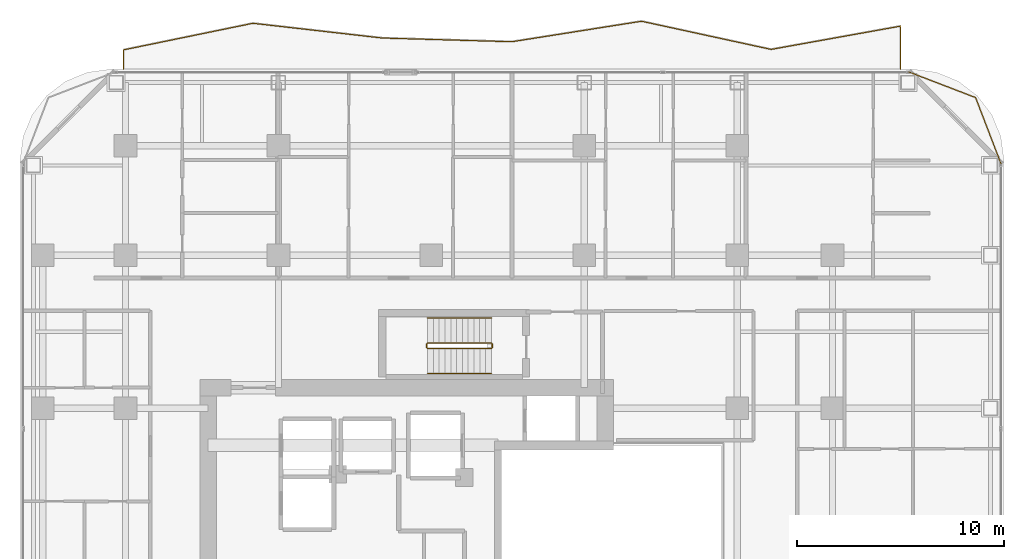
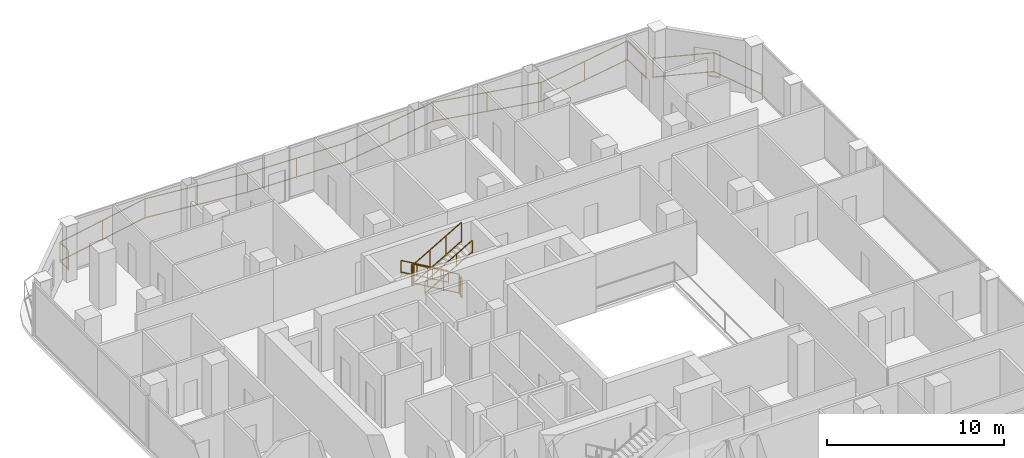
# One storey, part 27 of 27: 8 railings.
"""IFC4 building model written with IfcOpenShell, lengths in metres."""

from ifc_helpers import new_model, si_unit, direction, frame, origin, origin_2d, place, context, subcontext, project, spatial, rectangle, extrude, material, type_object, element, save


model = new_model("IFC4")

# Units and contexts
model_context = context("Model", 3, precision=1e-05, world=origin(), true_north=direction((0.0, 1.0)))
body_context = subcontext(model_context, "Body", "Model", "MODEL_VIEW")
ifc_project = project(units=[si_unit("LENGTHUNIT", "METRE"), si_unit("AREAUNIT", "SQUARE_METRE"), si_unit("VOLUMEUNIT", "CUBIC_METRE"), si_unit("PLANEANGLEUNIT", "RADIAN"), si_unit("MASSUNIT", "GRAM", prefix="KILO")], contexts=[model_context])

# Site, building, storey
site_placement = place(None, origin())
site = spatial("IfcSite", under=ifc_project, at=site_placement, CompositionType="ELEMENT")
building_placement = place(site_placement, origin())
building = spatial("IfcBuilding", under=site, at=building_placement, Name="Khorvyn Point Tower", CompositionType="ELEMENT")
storey_placement = place(building_placement, frame((0.0, 0.0, 164.10009765625)))
storey = spatial("IfcBuildingStorey", under=building, at=storey_placement, Name="L40", CompositionType="ELEMENT", Elevation=164.10009765625)

# Railings
ifc_material_1 = material(Name="Anodised aluminium 6063-T6 and laminated safety glass", Category="aluminium")
railing_type_1 = type_object("IfcRailingType", Name="Laminated Glass and Aluminium Balcony Guardrail 1400", PredefinedType="BALUSTRADE", material=ifc_material_1)
railing_1_placement = place(storey_placement, frame((27.57421875, 19.176025390625, 0.0)))
element("IfcRailing", 1, at=railing_1_placement, inside=storey, type_object=railing_type_1, Name="L40 Rounded Corner Edge Guardrail NE", PredefinedType="BALUSTRADE", context=body_context, shape_type="SweptSolid", body=[
    extrude(rectangle(XDim=0.048095703125, YDim=0.048095703125, at=origin_2d()), frame((0.0, 0.0, 1.3759765625), z_axis=(-0.358382264808, 0.933574931257, 0.0), x_axis=(-0.933574931257, -0.358382264808, 0.0)), (0.0, 0.0, 1.0), 3.481689453125),
    extrude(rectangle(XDim=0.048095703125, YDim=0.048095703125, at=origin_2d()), frame((0.0, 0.0, 0.080078125), z_axis=(-0.358382264808, 0.933574931257, 0.0), x_axis=(-0.933574931257, -0.358382264808, 0.0)), (0.0, 0.0, 1.0), 3.481689453125),
    extrude(rectangle(XDim=0.048095703125, YDim=0.048095703125, at=origin_2d()), frame((-1.247802734375, 3.25048828125, 1.3759765625), z_axis=(-0.933598390295, 0.358321148746, 0.0), x_axis=(-0.358321148746, -0.933598390295, 0.0)), (0.0, 0.0, 1.0), 3.481689453125),
    extrude(rectangle(XDim=0.048095703125, YDim=0.048095703125, at=origin_2d()), frame((-1.247802734375, 3.25048828125, 0.080078125), z_axis=(-0.933598390295, 0.358321148746, 0.0), x_axis=(-0.358321148746, -0.933598390295, 0.0)), (0.0, 0.0, 1.0), 3.481689453125),
    extrude(rectangle(XDim=0.0419921875, YDim=0.0419921875, at=origin_2d()), origin(), (0.0, 0.0, 1.0), 1.351806640625),
    extrude(rectangle(XDim=0.0419921875, YDim=0.0419921875, at=origin_2d()), frame((-1.247802734375, 3.25048828125, 0.0)), (0.0, 0.0, 1.0), 1.351806640625),
    extrude(rectangle(XDim=0.0419921875, YDim=0.0419921875, at=origin_2d()), frame((-4.498291015625, 4.498046875, 0.0)), (0.0, 0.0, 1.0), 1.351806640625),
])
railing_2_placement = place(storey_placement, frame((22.699951171875, 23.800048828125, 0.0)))
element("IfcRailing", 2, at=railing_2_placement, inside=storey, type_object=railing_type_1, Name="L40 North Balcony Guardrail", PredefinedType="BALUSTRADE", context=body_context, shape_type="SweptSolid", body=[
    extrude(rectangle(XDim=0.048095703125, YDim=0.048095703125, at=origin_2d()), frame((0.0, 0.0, 1.3759765625), z_axis=(0.0, 1.0, 0.0), x_axis=(-1.0, 0.0, 0.0)), (0.0, 0.0, 1.0), 2.08349609375),
    extrude(rectangle(XDim=0.048095703125, YDim=0.048095703125, at=origin_2d()), frame((0.0, 0.0, 0.080078125), z_axis=(0.0, 1.0, 0.0), x_axis=(-1.0, 0.0, 0.0)), (0.0, 0.0, 1.0), 2.08349609375),
    extrude(rectangle(XDim=0.048095703125, YDim=0.048095703125, at=origin_2d()), frame((0.0, 2.08349609375, 1.3759765625), z_axis=(-0.984225013532, -0.176921233148, 0.0), x_axis=(0.176921233148, -0.984225013532, 0.0)), (0.0, 0.0, 1.0), 6.366943359375),
    extrude(rectangle(XDim=0.048095703125, YDim=0.048095703125, at=origin_2d()), frame((0.0, 2.08349609375, 0.080078125), z_axis=(-0.984225013532, -0.176921233148, 0.0), x_axis=(0.176921233148, -0.984225013532, 0.0)), (0.0, 0.0, 1.0), 6.366943359375),
    extrude(rectangle(XDim=0.048095703125, YDim=0.048095703125, at=origin_2d()), frame((-6.2666015625, 0.95703125, 1.3759765625), z_axis=(-0.97716055631, 0.212502346319, 0.0), x_axis=(-0.212502346319, -0.97716055631, 0.0)), (0.0, 0.0, 1.0), 6.4130859375),
    extrude(rectangle(XDim=0.048095703125, YDim=0.048095703125, at=origin_2d()), frame((-6.2666015625, 0.95703125, 0.080078125), z_axis=(-0.97716055631, 0.212502346319, 0.0), x_axis=(-0.212502346319, -0.97716055631, 0.0)), (0.0, 0.0, 1.0), 6.4130859375),
    extrude(rectangle(XDim=0.048095703125, YDim=0.048095703125, at=origin_2d()), frame((-12.533203125, 2.31982421875, 1.3759765625), z_axis=(-0.987715496993, -0.156262909864, 0.0), x_axis=(0.156262909864, -0.987715496993, 0.0)), (0.0, 0.0, 1.0), 6.3447265625),
    extrude(rectangle(XDim=0.048095703125, YDim=0.048095703125, at=origin_2d()), frame((-12.533203125, 2.31982421875, 0.080078125), z_axis=(-0.987715496993, -0.156262909864, 0.0), x_axis=(0.156262909864, -0.987715496993, 0.0)), (0.0, 0.0, 1.0), 6.3447265625),
    extrude(rectangle(XDim=0.048095703125, YDim=0.048095703125, at=origin_2d()), frame((-18.800048828125, 1.328369140625, 1.3759765625), z_axis=(-0.999594718652, 0.028467498026, 0.0), x_axis=(-0.028467498026, -0.999594718652, 0.0)), (0.0, 0.0, 1.0), 6.26904296875),
    extrude(rectangle(XDim=0.048095703125, YDim=0.048095703125, at=origin_2d()), frame((-18.800048828125, 1.328369140625, 0.080078125), z_axis=(-0.999594718652, 0.028467498026, 0.0), x_axis=(-0.028467498026, -0.999594718652, 0.0)), (0.0, 0.0, 1.0), 6.26904296875),
    extrude(rectangle(XDim=0.048095703125, YDim=0.048095703125, at=origin_2d()), frame((-25.066650390625, 1.5068359375, 1.3759765625), z_axis=(-0.993569675103, 0.113222350774, 0.0), x_axis=(-0.113222350774, -0.993569675103, 0.0)), (0.0, 0.0, 1.0), 6.30712890625),
    extrude(rectangle(XDim=0.048095703125, YDim=0.048095703125, at=origin_2d()), frame((-25.066650390625, 1.5068359375, 0.080078125), z_axis=(-0.993569675103, 0.113222350774, 0.0), x_axis=(-0.113222350774, -0.993569675103, 0.0)), (0.0, 0.0, 1.0), 6.30712890625),
    extrude(rectangle(XDim=0.048095703125, YDim=0.048095703125, at=origin_2d()), frame((-31.333251953125, 2.220947265625, 1.3759765625), z_axis=(-0.979506669863, -0.201411726801, 0.0), x_axis=(0.201411726801, -0.979506669863, 0.0)), (0.0, 0.0, 1.0), 6.397705078125),
    extrude(rectangle(XDim=0.048095703125, YDim=0.048095703125, at=origin_2d()), frame((-31.333251953125, 2.220947265625, 0.080078125), z_axis=(-0.979506669863, -0.201411726801, 0.0), x_axis=(0.201411726801, -0.979506669863, 0.0)), (0.0, 0.0, 1.0), 6.397705078125),
    extrude(rectangle(XDim=0.048095703125, YDim=0.048095703125, at=origin_2d()), frame((-37.599853515625, 0.932373046875, 1.3759765625), z_axis=(0.0, -1.0, 0.0), x_axis=(1.0, 0.0, 0.0)), (0.0, 0.0, 1.0), 0.932373046875),
    extrude(rectangle(XDim=0.048095703125, YDim=0.048095703125, at=origin_2d()), frame((-37.599853515625, 0.932373046875, 0.080078125), z_axis=(0.0, -1.0, 0.0), x_axis=(1.0, 0.0, 0.0)), (0.0, 0.0, 1.0), 0.932373046875),
    extrude(rectangle(XDim=0.0419921875, YDim=0.0419921875, at=origin_2d()), origin(), (0.0, 0.0, 1.0), 1.351806640625),
    extrude(rectangle(XDim=0.0419921875, YDim=0.0419921875, at=origin_2d()), frame((0.0, 2.08349609375, 0.0)), (0.0, 0.0, 1.0), 1.351806640625),
    extrude(rectangle(XDim=0.0419921875, YDim=0.0419921875, at=origin_2d()), frame((-3.13330078125, 1.520263671875, 0.0)), (0.0, 0.0, 1.0), 1.351806640625),
    extrude(rectangle(XDim=0.0419921875, YDim=0.0419921875, at=origin_2d()), frame((-6.2666015625, 0.95703125, 0.0)), (0.0, 0.0, 1.0), 1.351806640625),
    extrude(rectangle(XDim=0.0419921875, YDim=0.0419921875, at=origin_2d()), frame((-9.39990234375, 1.638427734375, 0.0)), (0.0, 0.0, 1.0), 1.351806640625),
    extrude(rectangle(XDim=0.0419921875, YDim=0.0419921875, at=origin_2d()), frame((-12.533203125, 2.31982421875, 0.0)), (0.0, 0.0, 1.0), 1.351806640625),
    extrude(rectangle(XDim=0.0419921875, YDim=0.0419921875, at=origin_2d()), frame((-15.66650390625, 1.82421875, 0.0)), (0.0, 0.0, 1.0), 1.351806640625),
    extrude(rectangle(XDim=0.0419921875, YDim=0.0419921875, at=origin_2d()), frame((-18.800048828125, 1.328369140625, 0.0)), (0.0, 0.0, 1.0), 1.351806640625),
    extrude(rectangle(XDim=0.0419921875, YDim=0.0419921875, at=origin_2d()), frame((-21.933349609375, 1.41748046875, 0.0)), (0.0, 0.0, 1.0), 1.351806640625),
    extrude(rectangle(XDim=0.0419921875, YDim=0.0419921875, at=origin_2d()), frame((-25.066650390625, 1.5068359375, 0.0)), (0.0, 0.0, 1.0), 1.351806640625),
    extrude(rectangle(XDim=0.0419921875, YDim=0.0419921875, at=origin_2d()), frame((-28.199951171875, 1.86376953125, 0.0)), (0.0, 0.0, 1.0), 1.351806640625),
    extrude(rectangle(XDim=0.0419921875, YDim=0.0419921875, at=origin_2d()), frame((-31.333251953125, 2.220947265625, 0.0)), (0.0, 0.0, 1.0), 1.351806640625),
    extrude(rectangle(XDim=0.0419921875, YDim=0.0419921875, at=origin_2d()), frame((-34.466552734375, 1.57666015625, 0.0)), (0.0, 0.0, 1.0), 1.351806640625),
    extrude(rectangle(XDim=0.0419921875, YDim=0.0419921875, at=origin_2d()), frame((-37.599853515625, 0.932373046875, 0.0)), (0.0, 0.0, 1.0), 1.351806640625),
    extrude(rectangle(XDim=0.0419921875, YDim=0.0419921875, at=origin_2d()), frame((-37.599853515625, 0.0, 0.0)), (0.0, 0.0, 1.0), 1.351806640625),
])
ifc_material_2 = material(Name="Stainless steel 1.4301", Category="steel")
railing_type_2 = type_object("IfcRailingType", Name="Stainless Steel 304 Stair Pitch Handrail 900", PredefinedType="HANDRAIL", material=ifc_material_2)
railing_3_placement = place(storey_placement, frame((2.89990234375, 11.77001953125, 0.162353515625)))
element("IfcRailing", 3, at=railing_3_placement, inside=storey, type_object=railing_type_2, Name="L40 ST-02 stair handrail 1", PredefinedType="HANDRAIL", context=body_context, shape_type="SweptSolid", body=[
    extrude(rectangle(XDim=0.048095703125, YDim=0.048095703125, at=origin_2d()), frame((0.0, 0.0, 0.8759765625), z_axis=(-0.864873446163, 0.0, 0.501989962173), x_axis=(0.0, -1.0, 0.0)), (0.0, 0.0, 1.0), 3.56103515625),
    extrude(rectangle(XDim=0.048095703125, YDim=0.048095703125, at=origin_2d()), frame((0.0, 0.0, 0.080078125), z_axis=(-0.864873446163, 0.0, 0.501989962173), x_axis=(0.0, -1.0, 0.0)), (0.0, 0.0, 1.0), 3.56103515625),
    extrude(rectangle(XDim=0.0419921875, YDim=0.0419921875, at=origin_2d()), origin(), (0.0, 0.0, 1.0), 0.851806640625),
    extrude(rectangle(XDim=0.0419921875, YDim=0.0419921875, at=origin_2d()), frame((-1.026611328125, 0.0, 0.595947265625)), (0.0, 0.0, 1.0), 0.851806640625),
    extrude(rectangle(XDim=0.0419921875, YDim=0.0419921875, at=origin_2d()), frame((-2.05322265625, 0.0, 1.191650390625)), (0.0, 0.0, 1.0), 0.851806640625),
    extrude(rectangle(XDim=0.0419921875, YDim=0.0419921875, at=origin_2d()), frame((-3.079833984375, 0.0, 1.78759765625)), (0.0, 0.0, 1.0), 0.851806640625),
])
railing_4_placement = place(storey_placement, frame((-0.179931640625, 9.070068359375, 2.1123046875)))
element("IfcRailing", 4, at=railing_4_placement, inside=storey, type_object=railing_type_2, Name="L40 ST-02 stair handrail 2", PredefinedType="HANDRAIL", context=body_context, shape_type="SweptSolid", body=[
    extrude(rectangle(XDim=0.048095703125, YDim=0.048095703125, at=origin_2d()), frame((0.0, 0.0, 0.8759765625), z_axis=(0.864873446163, 0.0, 0.501989962173), x_axis=(0.0, 1.0, 0.0)), (0.0, 0.0, 1.0), 3.56103515625),
    extrude(rectangle(XDim=0.048095703125, YDim=0.048095703125, at=origin_2d()), frame((0.0, 0.0, 0.080078125), z_axis=(0.864873446163, 0.0, 0.501989962173), x_axis=(0.0, 1.0, 0.0)), (0.0, 0.0, 1.0), 3.56103515625),
    extrude(rectangle(XDim=0.0419921875, YDim=0.0419921875, at=origin_2d()), origin(), (0.0, 0.0, 1.0), 0.851806640625),
    extrude(rectangle(XDim=0.0419921875, YDim=0.0419921875, at=origin_2d()), frame((1.026611328125, 0.0, 0.595947265625)), (0.0, 0.0, 1.0), 0.851806640625),
    extrude(rectangle(XDim=0.0419921875, YDim=0.0419921875, at=origin_2d()), frame((2.05322265625, 0.0, 1.191650390625)), (0.0, 0.0, 1.0), 0.851806640625),
    extrude(rectangle(XDim=0.0419921875, YDim=0.0419921875, at=origin_2d()), frame((3.079833984375, 0.0, 1.78759765625)), (0.0, 0.0, 1.0), 0.851806640625),
])
railing_type_3 = type_object("IfcRailingType", Name="Stainless Steel 304 Stair Well Guardrail 1400", PredefinedType="GUARDRAIL", material=ifc_material_2)
railing_5_placement = place(storey_placement, frame((2.89990234375, 10.550048828125, 0.162353515625)))
element("IfcRailing", 5, at=railing_5_placement, inside=storey, type_object=railing_type_3, Name="L40 ST-02 stair guard 1", PredefinedType="GUARDRAIL", context=body_context, shape_type="SweptSolid", body=[
    extrude(rectangle(XDim=0.048095703125, YDim=0.048095703125, at=origin_2d()), frame((0.0, 0.0, 1.3759765625), z_axis=(-0.864873446163, 0.0, 0.501989962173), x_axis=(0.0, -1.0, 0.0)), (0.0, 0.0, 1.0), 3.56103515625),
    extrude(rectangle(XDim=0.048095703125, YDim=0.048095703125, at=origin_2d()), frame((0.0, 0.0, 0.080078125), z_axis=(-0.864873446163, 0.0, 0.501989962173), x_axis=(0.0, -1.0, 0.0)), (0.0, 0.0, 1.0), 3.56103515625),
    extrude(rectangle(XDim=0.0419921875, YDim=0.0419921875, at=origin_2d()), origin(), (0.0, 0.0, 1.0), 1.351806640625),
    extrude(rectangle(XDim=0.0419921875, YDim=0.0419921875, at=origin_2d()), frame((-1.026611328125, 0.0, 0.595947265625)), (0.0, 0.0, 1.0), 1.351806640625),
    extrude(rectangle(XDim=0.0419921875, YDim=0.0419921875, at=origin_2d()), frame((-2.05322265625, 0.0, 1.191650390625)), (0.0, 0.0, 1.0), 1.351806640625),
    extrude(rectangle(XDim=0.0419921875, YDim=0.0419921875, at=origin_2d()), frame((-3.079833984375, 0.0, 1.78759765625)), (0.0, 0.0, 1.0), 1.351806640625),
])
railing_6_placement = place(storey_placement, frame((-0.22998046875, 10.5, 1.949951171875)))
element("IfcRailing", 6, at=railing_6_placement, inside=storey, type_object=railing_type_3, Name="L40 ST-02 stair guard 2", PredefinedType="GUARDRAIL", context=body_context, shape_type="SweptSolid", body=[
    extrude(rectangle(XDim=0.048095703125, YDim=0.048095703125, at=origin_2d()), frame((0.0, 0.0, 1.3759765625), z_axis=(0.0, -1.0, 0.0), x_axis=(1.0, 0.0, 0.0)), (0.0, 0.0, 1.0), 0.159912109375),
    extrude(rectangle(XDim=0.048095703125, YDim=0.048095703125, at=origin_2d()), frame((0.0, 0.0, 0.080078125), z_axis=(0.0, -1.0, 0.0), x_axis=(1.0, 0.0, 0.0)), (0.0, 0.0, 1.0), 0.159912109375),
    extrude(rectangle(XDim=0.0419921875, YDim=0.0419921875, at=origin_2d()), origin(), (0.0, 0.0, 1.0), 1.351806640625),
    extrude(rectangle(XDim=0.0419921875, YDim=0.0419921875, at=origin_2d()), frame((0.0, -0.159912109375, 0.0)), (0.0, 0.0, 1.0), 1.351806640625),
])
railing_7_placement = place(storey_placement, frame((-0.179931640625, 10.2900390625, 2.1123046875)))
element("IfcRailing", 7, at=railing_7_placement, inside=storey, type_object=railing_type_3, Name="L40 ST-02 stair guard 3", PredefinedType="GUARDRAIL", context=body_context, shape_type="SweptSolid", body=[
    extrude(rectangle(XDim=0.048095703125, YDim=0.048095703125, at=origin_2d()), frame((0.0, 0.0, 1.3759765625), z_axis=(0.864873446163, 0.0, 0.501989962173), x_axis=(0.0, 1.0, 0.0)), (0.0, 0.0, 1.0), 3.56103515625),
    extrude(rectangle(XDim=0.048095703125, YDim=0.048095703125, at=origin_2d()), frame((0.0, 0.0, 0.080078125), z_axis=(0.864873446163, 0.0, 0.501989962173), x_axis=(0.0, 1.0, 0.0)), (0.0, 0.0, 1.0), 3.56103515625),
    extrude(rectangle(XDim=0.0419921875, YDim=0.0419921875, at=origin_2d()), origin(), (0.0, 0.0, 1.0), 1.351806640625),
    extrude(rectangle(XDim=0.0419921875, YDim=0.0419921875, at=origin_2d()), frame((1.026611328125, 0.0, 0.595947265625)), (0.0, 0.0, 1.0), 1.351806640625),
    extrude(rectangle(XDim=0.0419921875, YDim=0.0419921875, at=origin_2d()), frame((2.05322265625, 0.0, 1.191650390625)), (0.0, 0.0, 1.0), 1.351806640625),
    extrude(rectangle(XDim=0.0419921875, YDim=0.0419921875, at=origin_2d()), frame((3.079833984375, 0.0, 1.78759765625)), (0.0, 0.0, 1.0), 1.351806640625),
])
railing_8_placement = place(storey_placement, frame((2.949951171875, 10.5, 0.0)))
element("IfcRailing", 8, at=railing_8_placement, inside=storey, type_object=railing_type_3, Name="L40 ST-02 stair guard 4", PredefinedType="GUARDRAIL", context=body_context, shape_type="SweptSolid", body=[
    extrude(rectangle(XDim=0.048095703125, YDim=0.048095703125, at=origin_2d()), frame((0.0, 0.0, 1.3759765625), z_axis=(0.0, -1.0, 0.0), x_axis=(1.0, 0.0, 0.0)), (0.0, 0.0, 1.0), 0.159912109375),
    extrude(rectangle(XDim=0.048095703125, YDim=0.048095703125, at=origin_2d()), frame((0.0, 0.0, 0.080078125), z_axis=(0.0, -1.0, 0.0), x_axis=(1.0, 0.0, 0.0)), (0.0, 0.0, 1.0), 0.159912109375),
    extrude(rectangle(XDim=0.0419921875, YDim=0.0419921875, at=origin_2d()), origin(), (0.0, 0.0, 1.0), 1.351806640625),
    extrude(rectangle(XDim=0.0419921875, YDim=0.0419921875, at=origin_2d()), frame((0.0, -0.159912109375, 0.0)), (0.0, 0.0, 1.0), 1.351806640625),
])

save(model, "model.ifc")
